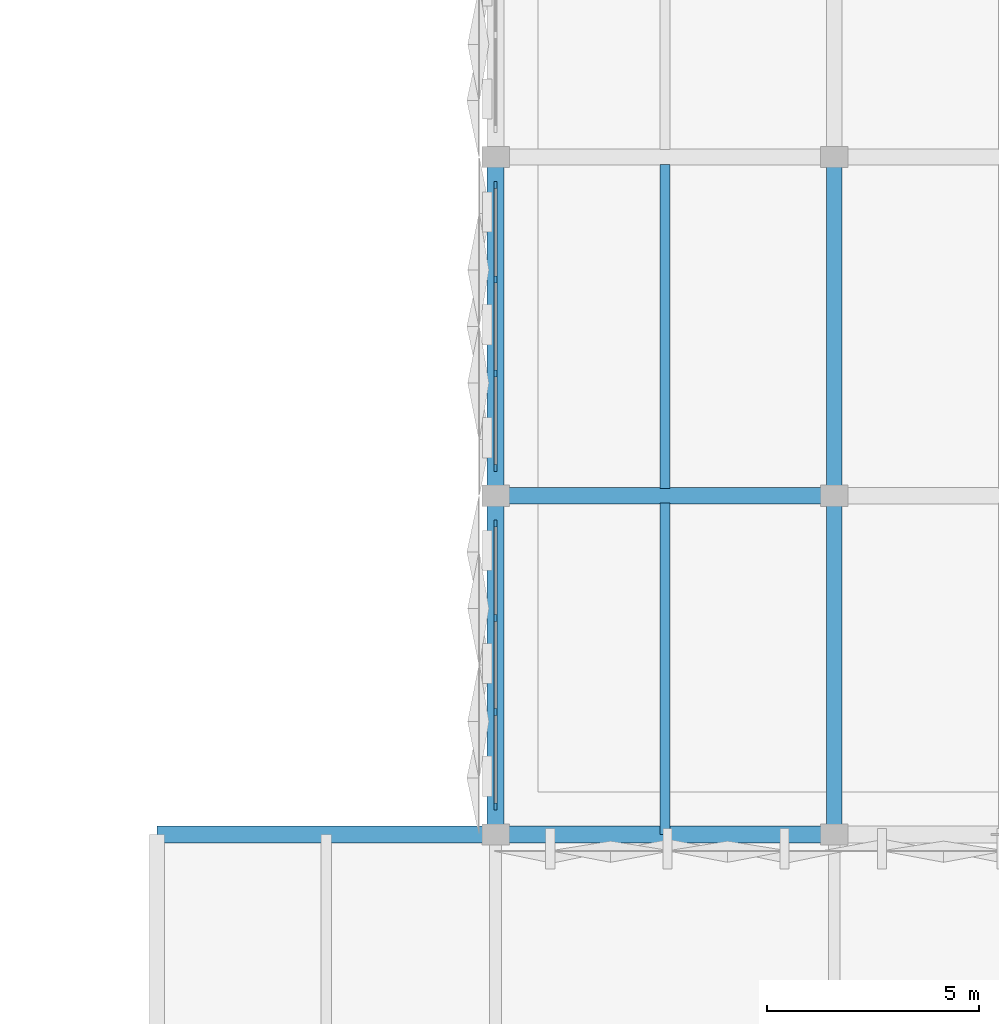
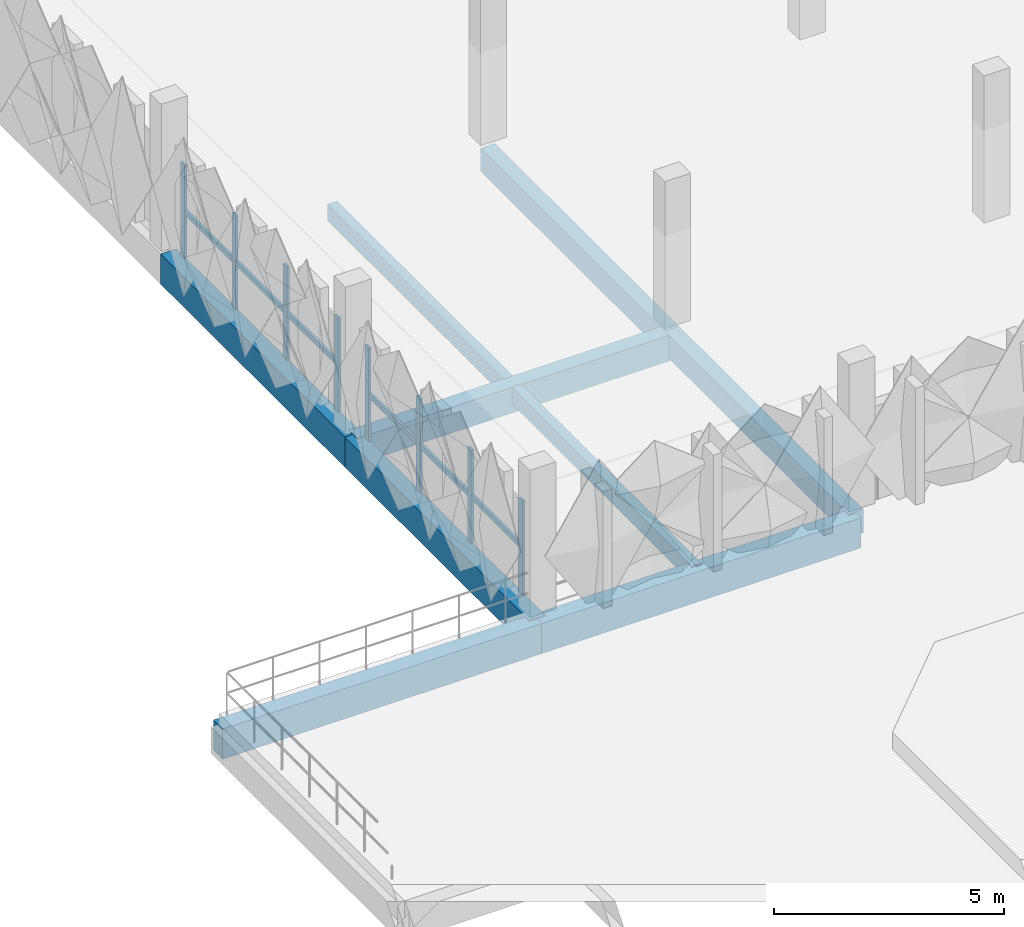
# One storey, part 22 of 76: 10 members, 9 beams, 2 elements without a shape of their own.
"""IFC4 building model written with IfcOpenShell, lengths in metres."""

import ifcopenshell
import ifcopenshell.guid

model = None  # the IFC model being written
_history = None  # IfcOwnerHistory: only IFC2X3 demands one
_inside = {}  # id of a spatial element -> (the spatial element, [elements in it])
_under = {}  # id of a project, library or spatial element -> (it, [spatial elements below it])
_declared = {}  # id of a project -> (the project, [libraries it declares])
_typed = {}  # id of a type object -> (the type object, [elements of that type])
_made_of = {}  # id of a material, layer set ... -> (it, [elements and type objects made of it])


def new_model(schema):
    """Start an empty IFC model of exactly this schema.

    Asked for "IFC4X3", IfcOpenShell would pick the latest addendum, in which some entities
    have other attributes; the version numbers below select the first issue.
    IFC2X3 requires an IfcOwnerHistory on every rooted entity: one is made here for all.
    """
    global model, _history
    if schema == "IFC4X3":
        model = ifcopenshell.file(schema_version=(4, 3, 0, 0))
    else:
        model = ifcopenshell.file(schema=schema)
    _inside.clear()
    _under.clear()
    _declared.clear()
    _typed.clear()
    _made_of.clear()
    _history = None
    if model.schema == "IFC2X3":
        org = make("IfcOrganization", Name="unknown")
        user = make(
            "IfcPersonAndOrganization",
            ThePerson=make("IfcPerson", FamilyName="unknown"),
            TheOrganization=org,
        )
        app = make(
            "IfcApplication",
            ApplicationDeveloper=org,
            Version="unknown",
            ApplicationFullName="unknown",
            ApplicationIdentifier="unknown",
        )
        _history = make(
            "IfcOwnerHistory",
            OwningUser=user,
            OwningApplication=app,
            ChangeAction="ADDED",
            CreationDate=0,
        )
    return model


def make(cls, **values):
    """One entity of the class cls with the attributes given. An attribute that is None is left unset."""
    return model.create_entity(
        cls, **{name: value for name, value in values.items() if value is not None}
    )


def rooted(cls, **values):
    """An entity with a GlobalId (a new one), such as an element, a storey or a relation."""
    return make(cls, GlobalId=ifcopenshell.guid.new(), OwnerHistory=_history, **values)


def si_unit(unit_type, name, prefix=None):
    """IfcSIUnit, for example si_unit("LENGTHUNIT", "METRE", prefix="MILLI")."""
    return make("IfcSIUnit", UnitType=unit_type, Prefix=prefix, Name=name)


def derived_unit(unit_type, elements):
    """IfcDerivedUnit: a product of units, each with its exponent."""
    return make(
        "IfcDerivedUnit",
        Elements=[
            make("IfcDerivedUnitElement", Unit=unit, Exponent=power)
            for unit, power in elements
        ],
        UnitType=unit_type,
    )


def assignment(units):
    """IfcUnitAssignment: the units of a project."""
    return None if units is None else make("IfcUnitAssignment", Units=units)


def point(xyz):
    """IfcCartesianPoint."""
    return None if xyz is None else make("IfcCartesianPoint", Coordinates=xyz)


def direction(xyz):
    """IfcDirection."""
    return None if xyz is None else make("IfcDirection", DirectionRatios=xyz)


def frame(location, z_axis=None, x_axis=None):
    """IfcAxis2Placement3D, a coordinate frame: its origin and axes. An axis left out is left unset."""
    return make(
        "IfcAxis2Placement3D",
        Location=point(location),
        Axis=direction(z_axis),
        RefDirection=direction(x_axis),
    )


def frame_2d(location, x_axis=None):
    """IfcAxis2Placement2D, a coordinate frame in the plane: its origin and x axis."""
    return make(
        "IfcAxis2Placement2D", Location=point(location), RefDirection=direction(x_axis)
    )


def origin():
    """The frame at (0, 0, 0) with its axes left unset."""
    return frame((0.0, 0.0, 0.0))


def origin_2d():
    """The frame at (0, 0) in the plane with its x axis left unset."""
    return frame_2d((0.0, 0.0))


def place(relative_to, where):
    """IfcLocalPlacement: puts the frame where relative to a parent placement (None: the world)."""
    return make(
        "IfcLocalPlacement", PlacementRelTo=relative_to, RelativePlacement=where
    )


def context(
    kind, dimensions, precision=None, world=None, true_north=None, identifier=None
):
    """IfcGeometricRepresentationContext, for example the 3D "Model" context."""
    return make(
        "IfcGeometricRepresentationContext",
        ContextIdentifier=identifier,
        ContextType=kind,
        CoordinateSpaceDimension=dimensions,
        Precision=precision,
        WorldCoordinateSystem=world,
        TrueNorth=true_north,
    )


def subcontext(parent, identifier, kind, view, scale=None):
    """IfcGeometricRepresentationSubContext, for example "Body" below "Model"."""
    return make(
        "IfcGeometricRepresentationSubContext",
        ContextIdentifier=identifier,
        ContextType=kind,
        ParentContext=parent,
        TargetScale=scale,
        TargetView=view,
    )


def project(units=None, contexts=None):
    """IfcProject with its units and contexts."""
    return rooted(
        "IfcProject",
        Name="project",
        RepresentationContexts=contexts,
        UnitsInContext=assignment(units),
    )


def spatial(cls, under=None, at=None, **own):
    """A site, building, storey or space (cls), placed at a placement, below another one or the project."""
    s = rooted(cls, ObjectPlacement=at, **own)
    if under is not None:
        _under.setdefault(under.id(), (under, []))[1].append(s)
    return s


def profile(cls, at=None, kind="AREA", **sizes):
    """A parametric profile (cls). Its sizes go by their IFC names, for example OverallWidth=200.0."""
    return make(cls, ProfileType=kind, Position=at, **sizes)


def rectangle(**sizes):
    """IfcRectangleProfileDef."""
    return profile("IfcRectangleProfileDef", **sizes)


def extrude(swept, where, along, depth):
    """IfcExtrudedAreaSolid: the profile swept, set in the frame where, extruded along a direction by depth."""
    return make(
        "IfcExtrudedAreaSolid",
        SweptArea=swept,
        Position=where,
        ExtrudedDirection=direction(along),
        Depth=depth,
    )


def shape(context_of_items, identifier, shape_type, items):
    """IfcShapeRepresentation: the items that make up one representation, for example the "Body"."""
    return make(
        "IfcShapeRepresentation",
        ContextOfItems=context_of_items,
        RepresentationIdentifier=identifier,
        RepresentationType=shape_type,
        Items=items,
    )


def material(Name=None, Category=None):
    """IfcMaterial."""
    return make("IfcMaterial", Name=Name, Category=Category)


def layer(
    of_material, thickness, ventilated=None, Name=None, Category=None, Priority=None
):
    """IfcMaterialLayer: one layer of a wall or slab, of a material (None: an air gap)."""
    return make(
        "IfcMaterialLayer",
        Material=of_material,
        LayerThickness=thickness,
        IsVentilated=ventilated,
        Name=Name,
        Category=Category,
        Priority=Priority,
    )


def layer_set(layers, Name=None):
    """IfcMaterialLayerSet."""
    return make("IfcMaterialLayerSet", MaterialLayers=layers, LayerSetName=Name)


def material_profile(
    of_material, cross_section, Name=None, Category=None, Priority=None
):
    """IfcMaterialProfile: a cross section and its material."""
    return make(
        "IfcMaterialProfile",
        Name=Name,
        Material=of_material,
        Profile=cross_section,
        Priority=Priority,
        Category=Category,
    )


def profile_set(profiles, Name=None, composite=None):
    """IfcMaterialProfileSet."""
    return make(
        "IfcMaterialProfileSet",
        Name=Name,
        MaterialProfiles=profiles,
        CompositeProfile=composite,
    )


def made_of(thing, what):
    """Note that an element or type object is made of a material, layer set ...; save() writes the relation."""
    if what is not None:
        _made_of.setdefault(what.id(), (what, []))[1].append(thing)
    return thing


def type_object(cls, material=None, **own):
    """A type object (cls), such as IfcWallType, which elements share."""
    return made_of(rooted(cls, **own), material)


def element(
    cls,
    number,
    at=None,
    inside=None,
    cuts=None,
    type_object=None,
    material=None,
    context=None,
    identifier="Body",
    shape_type=None,
    held_by="IfcProductDefinitionShape",
    body=None,
    shapes=None,
    **own,
):
    """One element of the class cls, such as IfcWall. Its Tag is "e" and its number.

    at: its placement. inside: the storey or other place that contains it. cuts: it is an
    opening in that element (IfcRelVoidsElement). A single representation is given by context,
    identifier, shape_type and body (its items); several are given by shapes. held_by: the class
    of the entity that holds the representations. save() writes the other relations.
    """
    e = rooted(cls, Tag="e%d" % number, ObjectPlacement=at, **own)
    if body is not None:
        shapes = [shape(context, identifier, shape_type, body)]
    if shapes is not None:
        e.Representation = make(held_by, Representations=shapes)
    if inside is not None:
        _inside.setdefault(inside.id(), (inside, []))[1].append(e)
    if cuts is not None:
        rooted(
            "IfcRelVoidsElement", RelatingBuildingElement=cuts, RelatedOpeningElement=e
        )
    if type_object is not None:
        _typed.setdefault(type_object.id(), (type_object, []))[1].append(e)
    return made_of(e, material)


def aggregate(whole, parts):
    """IfcRelAggregates: a whole, such as a stair, and the parts it consists of."""
    return rooted("IfcRelAggregates", RelatingObject=whole, RelatedObjects=parts)


def save(model, path):
    """Write the relations noted so far, then the file.

    IfcRelAggregates (storeys below a building ...), IfcRelContainedInSpatialStructure (elements
    in a storey), IfcRelDefinesByType, IfcRelAssociatesMaterial and IfcRelDeclares: one each for
    every whole, place, type object, material and project.
    """
    for whole, parts in _under.values():
        aggregate(whole, parts)
    for where, things in _inside.values():
        rooted(
            "IfcRelContainedInSpatialStructure",
            RelatedElements=things,
            RelatingStructure=where,
        )
    for kind, things in _typed.values():
        rooted("IfcRelDefinesByType", RelatedObjects=things, RelatingType=kind)
    for what, things in _made_of.values():
        rooted("IfcRelAssociatesMaterial", RelatedObjects=things, RelatingMaterial=what)
    for by, libraries in _declared.values():
        rooted("IfcRelDeclares", RelatingContext=by, RelatedDefinitions=libraries)
    model.write(path)


model = new_model("IFC4")

# Units and contexts
model_context = context("Model", 3, precision=1e-05, world=origin(), true_north=direction((0.0, 1.0)))
body_context = subcontext(model_context, "Body", "Model", "MODEL_VIEW")
ifc_project = project(units=[si_unit("LENGTHUNIT", "METRE"), si_unit("AREAUNIT", "SQUARE_METRE"), si_unit("VOLUMEUNIT", "CUBIC_METRE"), si_unit("PLANEANGLEUNIT", "RADIAN"), si_unit("MASSUNIT", "GRAM", prefix="KILO"), si_unit("THERMODYNAMICTEMPERATUREUNIT", "KELVIN"), derived_unit("THERMALTRANSMITTANCEUNIT", [(si_unit("POWERUNIT", "WATT"), 1), (si_unit("AREAUNIT", "SQUARE_METRE"), -1), (si_unit("THERMODYNAMICTEMPERATUREUNIT", "KELVIN"), -1)])], contexts=[model_context])

# Site, building, storey
site_placement = place(None, origin())
site = spatial("IfcSite", under=ifc_project, at=site_placement, CompositionType="ELEMENT")
building_placement = place(site_placement, origin())
building = spatial("IfcBuilding", under=site, at=building_placement, Name="Haiyu Intermodal Mobility Hub", CompositionType="ELEMENT")
storey_placement = place(building_placement, frame((0.0, 0.0, 17.300048828125)))
storey = spatial("IfcBuildingStorey", under=building, at=storey_placement, Name="L04", CompositionType="ELEMENT", Elevation=17.300048828125)

# Beams
ifc_material_1 = material(Name="Concrete C40", Category="concrete")
ifc_material_profile_1 = material_profile(ifc_material_1, rectangle(XDim=0.39990234375, YDim=0.800048828125, at=origin_2d()), Name="RCB400x800")
ifc_profile_set_1 = profile_set([ifc_material_profile_1], Name="Concrete C40")
beam_type_1 = type_object("IfcBeamType", Name="BM-CB05", PredefinedType="BEAM", material=ifc_profile_set_1)
for number, where, z_axis, x_axis, name in (
    (1, (154.0, 80.0, -0.699951171875), (1.0, 0.0, 0.0), (0.0, 1.0, 0.0), "BM-V5G-L04-056"),
    (2, (162.0, 80.0, -0.699951171875), (1.0, 0.0, 0.0), (0.0, 1.0, 0.0), "BM-V5G-L04-057"),
    (3, (162.0, 80.0, -0.66015625), (0.0, 1.0, 0.0), (-1.0, 0.0, 0.0), "BM-V6T-L04-001"),
    (4, (162.0, 88.0, -0.66015625), (0.0, 1.0, 0.0), (-1.0, 0.0, 0.0), "BM-V6T-L04-002"),
):
    element("IfcBeam", number, at=place(storey_placement, frame(where, z_axis=z_axis, x_axis=x_axis)), inside=storey, type_object=beam_type_1, Name=name, PredefinedType="BEAM", context=body_context, shape_type="SweptSolid", body=[
        extrude(rectangle(XDim=0.39990234375, YDim=0.800048828125, at=origin_2d()), origin(), (0.0, 0.0, 1.0), 8.0),
    ])
ifc_material_profile_2 = material_profile(ifc_material_1, rectangle(XDim=0.3798828125, YDim=0.679931640625, at=origin_2d()), Name="B380x680")
ifc_profile_set_2 = profile_set([ifc_material_profile_2], Name="Concrete C40")
beam_type_2 = type_object("IfcBeamType", Name="BM-CB15", PredefinedType="BEAM", material=ifc_profile_set_2)
beam_1_placement = place(storey_placement, frame((162.0, 88.0, -0.60009765625), z_axis=(1.0, 0.0, 0.0), x_axis=(0.0, 1.0, 0.0)))
element("IfcBeam", 5, at=beam_1_placement, inside=storey, type_object=beam_type_2, Name="BM-V6G-L04-007", PredefinedType="BEAM", context=body_context, shape_type="SweptSolid", body=[
    extrude(rectangle(XDim=0.3798828125, YDim=0.679931640625, at=origin_2d()), origin(), (0.0, 0.0, 1.0), 8.0),
])
ifc_material_profile_3 = material_profile(ifc_material_1, rectangle(XDim=0.360107421875, YDim=0.6201171875, at=origin_2d()), Name="B360x620")
ifc_profile_set_3 = profile_set([ifc_material_profile_3], Name="Concrete C40")
beam_type_3 = type_object("IfcBeamType", Name="BM-CB16", PredefinedType="BEAM", material=ifc_profile_set_3)
for number, where, z_axis, x_axis, name in (
    (6, (170.0, 80.0, -0.570068359375), (0.0, 1.0, 0.0), (-1.0, 0.0, 0.0), "BM-V6T-L04-009"),
    (7, (170.0, 88.0, -0.570068359375), (0.0, 1.0, 0.0), (-1.0, 0.0, 0.0), "BM-V6T-L04-010"),
):
    element("IfcBeam", number, at=place(storey_placement, frame(where, z_axis=z_axis, x_axis=x_axis)), inside=storey, type_object=beam_type_3, Name=name, PredefinedType="BEAM", context=body_context, shape_type="SweptSolid", body=[
        extrude(rectangle(XDim=0.360107421875, YDim=0.6201171875, at=origin_2d()), origin(), (0.0, 0.0, 1.0), 8.0),
    ])
ifc_material_profile_4 = material_profile(ifc_material_1, rectangle(XDim=0.239990234375, YDim=0.43994140625, at=origin_2d()), Name="B240x440")
ifc_profile_set_4 = profile_set([ifc_material_profile_4], Name="Concrete C40")
beam_type_4 = type_object("IfcBeamType", Name="BM-CB19", PredefinedType="JOIST", material=ifc_profile_set_4)
beam_2_placement = place(storey_placement, frame((166.0, 80.0, -0.47998046875), z_axis=(0.0, 1.0, 0.0), x_axis=(-1.0, 0.0, 0.0)))
element("IfcBeam", 8, at=beam_2_placement, inside=storey, type_object=beam_type_4, Name="BM-V6J-L04-001", PredefinedType="JOIST", context=body_context, shape_type="SweptSolid", body=[
    extrude(rectangle(XDim=0.239990234375, YDim=0.43994140625, at=origin_2d()), origin(), (0.0, 0.0, 1.0), 7.824951171875),
])
beam_3_placement = place(storey_placement, frame((166.0, 88.175048828125, -0.47998046875), z_axis=(0.0, 1.0, 0.0), x_axis=(-1.0, 0.0, 0.0)))
element("IfcBeam", 9, at=beam_3_placement, inside=storey, type_object=beam_type_4, Name="BM-V6J-L04-002", PredefinedType="JOIST", context=body_context, shape_type="SweptSolid", body=[
    extrude(rectangle(XDim=0.239990234375, YDim=0.43994140625, at=origin_2d()), origin(), (0.0, 0.0, 1.0), 7.64990234375),
])

# Curtain wall, members
ifc_material_2 = material(Name="Low-e laminated insulating glass", Category="glass")
ifc_layer = layer(ifc_material_2, 0.2099609375)
ifc_layer_set = layer_set([ifc_layer], Name="Low-e laminated insulating glass")
curtain_wall_type = type_object("IfcCurtainWallType", Name="CW-CW04", PredefinedType="NOTDEFINED", material=ifc_layer_set)
curtain_wall_1_placement = place(storey_placement, origin())
curtain_wall_1 = element("IfcCurtainWall", 10, at=curtain_wall_1_placement, inside=storey, type_object=curtain_wall_type, Name="Curtain Wall CW-V6W-L04-152", PredefinedType="NOTDEFINED")
ifc_material_3 = material(Name="Anodised aluminium 6063-T6", Category="aluminium")
ifc_material_profile_5 = material_profile(ifc_material_3, rectangle(XDim=0.06494140625, YDim=0.1650390625, at=origin_2d()), Name="ALU65x165")
ifc_profile_set_5 = profile_set([ifc_material_profile_5], Name="Anodised aluminium 6063-T6")
member_type_1 = type_object("IfcMemberType", Name="CWM-ML02", PredefinedType="MULLION", material=ifc_profile_set_5)
member_1_placement = place(storey_placement, frame((162.0, 87.340087890625, 0.0), z_axis=(0.0, 0.0, 1.0), x_axis=(1.0, 0.0, 0.0)))
member_1 = element("IfcMember", 11, at=member_1_placement, type_object=member_type_1, Name="CW-V6W-L04-152-ML01", PredefinedType="MULLION", context=body_context, shape_type="SweptSolid", body=[
    extrude(rectangle(XDim=0.06494140625, YDim=0.1650390625, at=origin_2d()), origin(), (0.0, 0.0, 1.0), 2.47998046875),
])
member_2_placement = place(storey_placement, frame((162.0, 85.113037109375, 0.0), z_axis=(0.0, 0.0, 1.0), x_axis=(1.0, 0.0, 0.0)))
member_2 = element("IfcMember", 12, at=member_2_placement, type_object=member_type_1, Name="CW-V6W-L04-152-ML02", PredefinedType="MULLION", context=body_context, shape_type="SweptSolid", body=[
    extrude(rectangle(XDim=0.06494140625, YDim=0.1650390625, at=origin_2d()), origin(), (0.0, 0.0, 1.0), 2.47998046875),
])
member_3_placement = place(storey_placement, frame((162.0, 82.886962890625, 0.0), z_axis=(0.0, 0.0, 1.0), x_axis=(1.0, 0.0, 0.0)))
member_3 = element("IfcMember", 13, at=member_3_placement, type_object=member_type_1, Name="CW-V6W-L04-152-ML03", PredefinedType="MULLION", context=body_context, shape_type="SweptSolid", body=[
    extrude(rectangle(XDim=0.06494140625, YDim=0.1650390625, at=origin_2d()), origin(), (0.0, 0.0, 1.0), 2.47998046875),
])
member_4_placement = place(storey_placement, frame((162.0, 80.659912109375, 0.0), z_axis=(0.0, 0.0, 1.0), x_axis=(1.0, 0.0, 0.0)))
member_4 = element("IfcMember", 14, at=member_4_placement, type_object=member_type_1, Name="CW-V6W-L04-152-ML04", PredefinedType="MULLION", context=body_context, shape_type="SweptSolid", body=[
    extrude(rectangle(XDim=0.06494140625, YDim=0.1650390625, at=origin_2d()), origin(), (0.0, 0.0, 1.0), 2.47998046875),
])

curtain_wall_2_placement = place(storey_placement, origin())
curtain_wall_2 = element("IfcCurtainWall", 15, at=curtain_wall_2_placement, inside=storey, type_object=curtain_wall_type, Name="Curtain Wall CW-V6W-L04-153", PredefinedType="NOTDEFINED")
member_5_placement = place(storey_placement, frame((162.0, 95.340087890625, 0.0), z_axis=(0.0, 0.0, 1.0), x_axis=(1.0, 0.0, 0.0)))
member_5 = element("IfcMember", 16, at=member_5_placement, type_object=member_type_1, Name="CW-V6W-L04-153-ML01", PredefinedType="MULLION", context=body_context, shape_type="SweptSolid", body=[
    extrude(rectangle(XDim=0.06494140625, YDim=0.1650390625, at=origin_2d()), origin(), (0.0, 0.0, 1.0), 2.47998046875),
])
member_6_placement = place(storey_placement, frame((162.0, 93.113037109375, 0.0), z_axis=(0.0, 0.0, 1.0), x_axis=(1.0, 0.0, 0.0)))
member_6 = element("IfcMember", 17, at=member_6_placement, type_object=member_type_1, Name="CW-V6W-L04-153-ML02", PredefinedType="MULLION", context=body_context, shape_type="SweptSolid", body=[
    extrude(rectangle(XDim=0.06494140625, YDim=0.1650390625, at=origin_2d()), origin(), (0.0, 0.0, 1.0), 2.47998046875),
])
member_7_placement = place(storey_placement, frame((162.0, 90.886962890625, 0.0), z_axis=(0.0, 0.0, 1.0), x_axis=(1.0, 0.0, 0.0)))
member_7 = element("IfcMember", 18, at=member_7_placement, type_object=member_type_1, Name="CW-V6W-L04-153-ML03", PredefinedType="MULLION", context=body_context, shape_type="SweptSolid", body=[
    extrude(rectangle(XDim=0.06494140625, YDim=0.1650390625, at=origin_2d()), origin(), (0.0, 0.0, 1.0), 2.47998046875),
])
member_8_placement = place(storey_placement, frame((162.0, 88.659912109375, 0.0), z_axis=(0.0, 0.0, 1.0), x_axis=(1.0, 0.0, 0.0)))
member_8 = element("IfcMember", 19, at=member_8_placement, type_object=member_type_1, Name="CW-V6W-L04-153-ML04", PredefinedType="MULLION", context=body_context, shape_type="SweptSolid", body=[
    extrude(rectangle(XDim=0.06494140625, YDim=0.1650390625, at=origin_2d()), origin(), (0.0, 0.0, 1.0), 2.47998046875),
])

# Member
ifc_material_profile_6 = material_profile(ifc_material_3, rectangle(XDim=0.06494140625, YDim=0.135009765625, at=origin_2d()), Name="ALU65x135")
ifc_profile_set_6 = profile_set([ifc_material_profile_6], Name="Anodised aluminium 6063-T6")
member_type_2 = type_object("IfcMemberType", Name="CWM-TR02", PredefinedType="USERDEFINED", material=ifc_profile_set_6)
member_9_placement = place(storey_placement, frame((162.0, 87.3798828125, 1.239990234375), z_axis=(0.0, -1.0, 0.0), x_axis=(1.0, 0.0, 0.0)))
member_9 = element("IfcMember", 20, at=member_9_placement, type_object=member_type_2, Name="CW-V6W-L04-152-TR01", ObjectType="TRANSOM", PredefinedType="USERDEFINED", context=body_context, shape_type="SweptSolid", body=[
    extrude(rectangle(XDim=0.06494140625, YDim=0.135009765625, at=origin_2d()), origin(), (0.0, 0.0, 1.0), 6.759765625),
])

aggregate(curtain_wall_1, [member_1, member_2, member_3, member_4, member_9])

member_10_placement = place(storey_placement, frame((162.0, 95.3798828125, 1.239990234375), z_axis=(0.0, -1.0, 0.0), x_axis=(1.0, 0.0, 0.0)))
member_10 = element("IfcMember", 21, at=member_10_placement, type_object=member_type_2, Name="CW-V6W-L04-153-TR01", ObjectType="TRANSOM", PredefinedType="USERDEFINED", context=body_context, shape_type="SweptSolid", body=[
    extrude(rectangle(XDim=0.06494140625, YDim=0.135009765625, at=origin_2d()), origin(), (0.0, 0.0, 1.0), 6.759765625),
])

aggregate(curtain_wall_2, [member_5, member_6, member_7, member_8, member_10])

save(model, "model.ifc")
